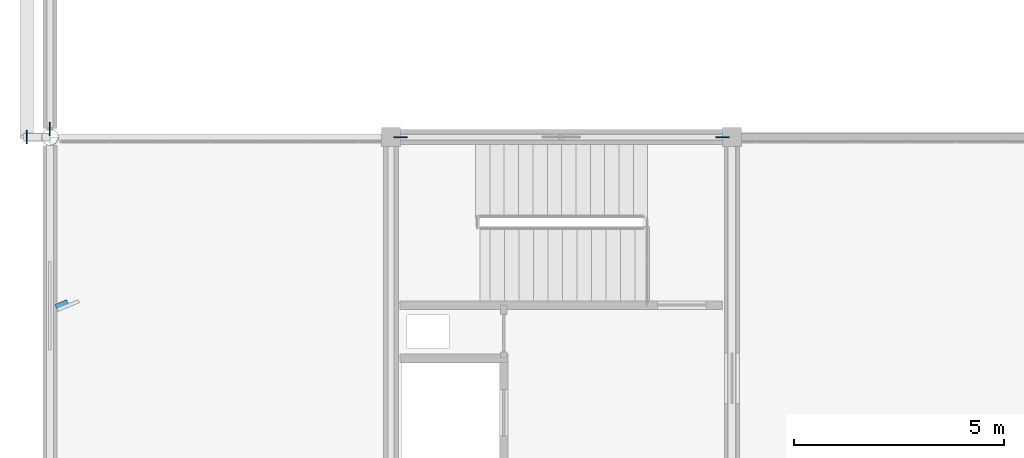
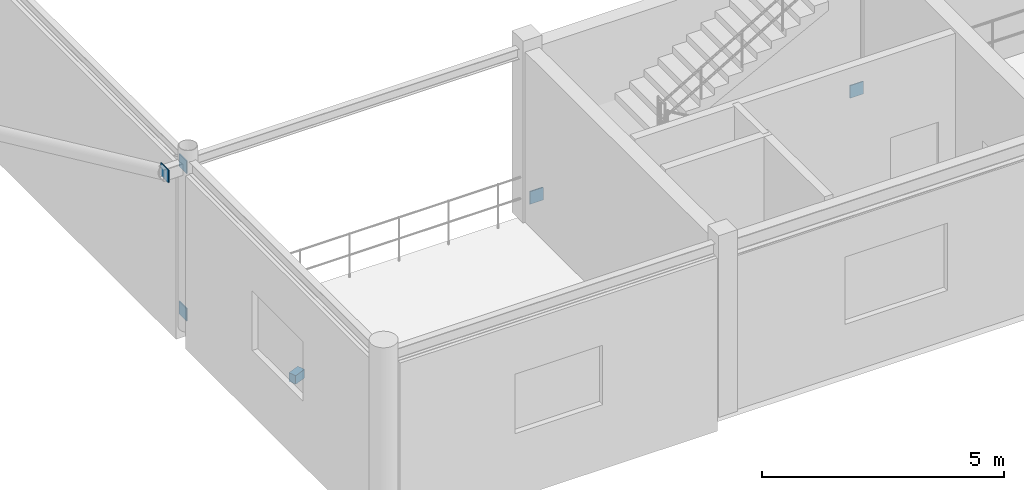
# One storey, part 77 of 93: 6 discrete accessories.
"""IFC4 building model written with IfcOpenShell, lengths in metres."""

from ifc_helpers import new_model, si_unit, direction, frame, origin, origin_2d, place, context, subcontext, project, spatial, rectangle, extrude, material, type_object, element, save


model = new_model("IFC4")

# Units and contexts
model_context = context("Model", 3, precision=1e-05, world=origin(), true_north=direction((0.0, 1.0)))
body_context = subcontext(model_context, "Body", "Model", "MODEL_VIEW")
ifc_project = project(units=[si_unit("LENGTHUNIT", "METRE"), si_unit("AREAUNIT", "SQUARE_METRE"), si_unit("VOLUMEUNIT", "CUBIC_METRE"), si_unit("PLANEANGLEUNIT", "RADIAN"), si_unit("MASSUNIT", "GRAM", prefix="KILO")], contexts=[model_context])

# Site, building, storey
site_placement = place(None, origin())
site = spatial("IfcSite", under=ifc_project, at=site_placement, CompositionType="ELEMENT")
building_placement = place(site_placement, origin())
building = spatial("IfcBuilding", under=site, at=building_placement, Name="Vaudrelin Polytechnic", CompositionType="ELEMENT")
storey_placement = place(building_placement, frame((0.0, 0.0, 5.10009765625)))
storey = spatial("IfcBuildingStorey", under=building, at=storey_placement, Name="L01", CompositionType="ELEMENT", Elevation=5.10009765625)

# Discrete accessories
ifc_material_1 = material(Name="Steel CSA G40.21 350WT", Category="steel")
discrete_accessory_type_1 = type_object("IfcDiscreteAccessoryType", Name="ACC-CPL-01", PredefinedType="BRACKET", material=ifc_material_1)
for number, where, z_axis, x_axis, name in (
    (1, (8.324951171875, 48.60009765625, 0.23974609375), (0.0, 0.0, 1.0), (1.0, 0.0, 0.0), "Brace end connection plate CPL-005"),
    (2, (15.97509765625, 48.60009765625, 0.23974609375), (0.0, 0.0, 1.0), (1.0, 0.0, 0.0), "Brace end connection plate CPL-006"),
):
    element("IfcDiscreteAccessory", number, at=place(storey_placement, frame(where, z_axis=z_axis, x_axis=x_axis)), inside=storey, type_object=discrete_accessory_type_1, Name=name, PredefinedType="BRACKET", context=body_context, shape_type="SweptSolid", body=[
        extrude(rectangle(XDim=0.320068359375, YDim=0.02392578125, at=origin_2d()), origin(), (0.0, 0.0, 1.0), 0.320068359375),
    ])
for number, where, z_axis, x_axis, name in (
    (3, (0.0, 48.795166015625, 0.11962890625), (0.0, 0.0, 1.0), (1.0, 0.0, 0.0), "Brace end connection plate CPL-025"),
    (4, (0.0, 48.795166015625, 3.84375), (0.0, 0.0, 1.0), (1.0, 0.0, 0.0), "Brace end connection plate CPL-027"),
    (5, (-0.550048828125, 48.60009765625, 3.9296875), (0.0, 0.0, 1.0), (1.0, 0.0, 0.0), "Brace end connection plate CPL-033"),
):
    element("IfcDiscreteAccessory", number, at=place(storey_placement, frame(where, z_axis=z_axis, x_axis=x_axis)), inside=storey, type_object=discrete_accessory_type_1, Name=name, PredefinedType="BRACKET", context=body_context, shape_type="SweptSolid", body=[
        extrude(rectangle(XDim=0.02392578125, YDim=0.320068359375, at=origin_2d()), origin(), (0.0, 0.0, 1.0), 0.320068359375),
    ])
ifc_material_2 = material(Name="Galvanised steel CSA G40.21 350W", Category="steel")
discrete_accessory_type_2 = type_object("IfcDiscreteAccessoryType", Name="ENV-BRK-01", PredefinedType="BRACKET", material=ifc_material_2)
discrete_accessory_placement = place(storey_placement, frame((0.2900390625, 44.598388671875, 0.98974609375), z_axis=(0.0, 0.0, 1.0), x_axis=(0.927183854567, 0.374606593416, 0.0)))
element("IfcDiscreteAccessory", 6, at=discrete_accessory_placement, inside=storey, type_object=discrete_accessory_type_2, Name="Solar fin support bracket BRK-016", PredefinedType="BRACKET", context=body_context, shape_type="SweptSolid", body=[
    extrude(rectangle(XDim=0.300048828125, YDim=0.179931640625, at=origin_2d()), origin(), (0.0, 0.0, 1.0), 0.219970703125),
])

save(model, "model.ifc")
